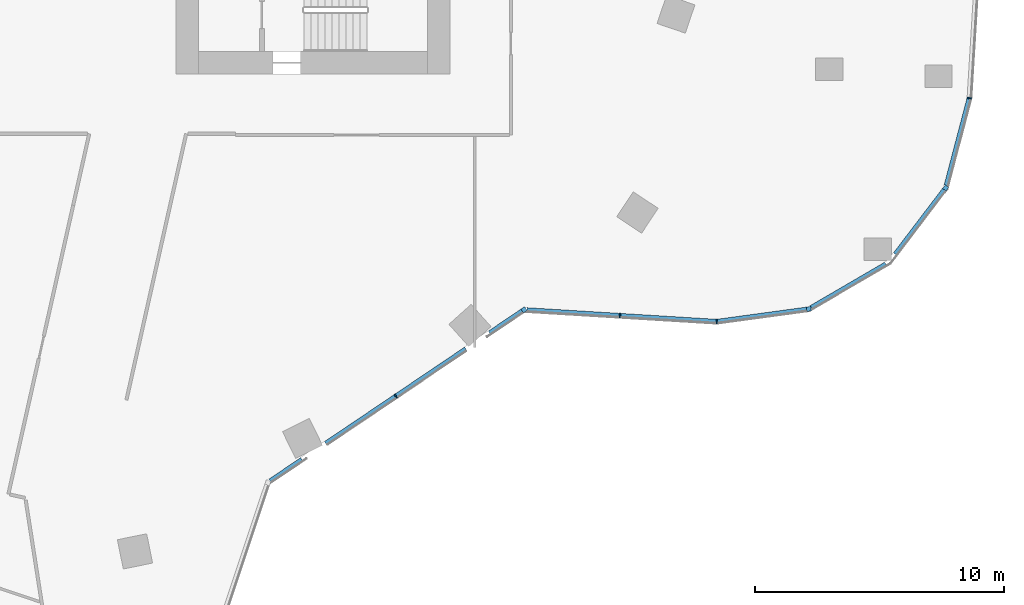
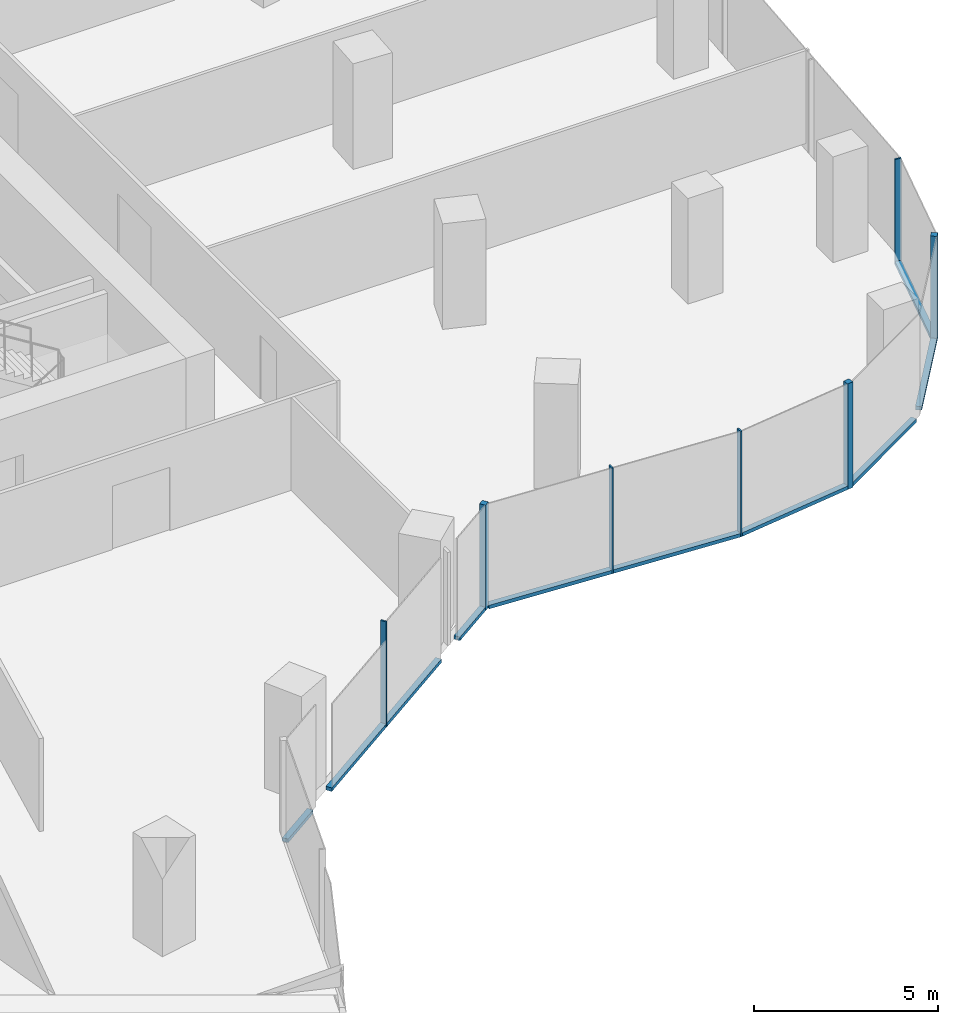
# One storey, part 7 of 25: 15 members, 6 elements without a shape of their own.
"""IFC4 building model written with IfcOpenShell, lengths in metres."""

from ifc_helpers import new_model, si_unit, direction, frame, origin, origin_2d, place, context, subcontext, project, spatial, rectangle, extrude, material, material_profile, profile_set, type_object, element, aggregate, save


model = new_model("IFC4")

# Units and contexts
model_context = context("Model", 3, precision=1e-05, world=origin(), true_north=direction((0.0, 1.0)))
body_context = subcontext(model_context, "Body", "Model", "MODEL_VIEW")
ifc_project = project(units=[si_unit("LENGTHUNIT", "METRE"), si_unit("AREAUNIT", "SQUARE_METRE"), si_unit("VOLUMEUNIT", "CUBIC_METRE"), si_unit("PLANEANGLEUNIT", "RADIAN"), si_unit("MASSUNIT", "GRAM", prefix="KILO")], contexts=[model_context])

# Site, building, storey
site_placement = place(None, origin())
site = spatial("IfcSite", under=ifc_project, at=site_placement, CompositionType="ELEMENT")
building_placement = place(site_placement, origin())
building = spatial("IfcBuilding", under=site, at=building_placement, Name="Orlundy Tower", CompositionType="ELEMENT")
storey_placement = place(building_placement, frame((0.0, 0.0, 159.60009765625)))
storey = spatial("IfcBuildingStorey", under=building, at=storey_placement, Name="L41", CompositionType="ELEMENT", Elevation=159.60009765625)

# Curtain wall, member
ifc_material_1 = material(Name="Aluminium bronze anodised", Category="aluminium")
curtain_wall_type = type_object("IfcCurtainWallType", Name="CW1 wall", PredefinedType="NOTDEFINED", material=ifc_material_1)
curtain_wall_1_placement = place(storey_placement, origin())
curtain_wall_1 = element("IfcCurtainWall", 1, at=curtain_wall_1_placement, inside=storey, type_object=curtain_wall_type, Name="CW1 run 013", PredefinedType="NOTDEFINED")
ifc_material_2 = material(Name="Aluminium bronze anodised", Category="aluminium")
ifc_material_profile_1 = material_profile(ifc_material_2, rectangle(XDim=0.179931640625, YDim=0.179931640625, at=origin_2d()), Name="CW1 corner post 180x180")
ifc_profile_set_1 = profile_set([ifc_material_profile_1], Name="Aluminium bronze anodised")
member_type_1 = type_object("IfcMemberType", Name="CW1 corner post 180x180", PredefinedType="MULLION", material=ifc_profile_set_1)
member_1_placement = place(storey_placement, frame((38.92236328125, -16.5771484375, -0.400146484375), z_axis=(0.0, 0.0, 1.0), x_axis=(0.796001033516, -0.605295262364, 0.0)))
member_1 = element("IfcMember", 2, at=member_1_placement, type_object=member_type_1, Name="CW1 mullion 37", PredefinedType="MULLION", context=body_context, shape_type="SweptSolid", body=[
    extrude(rectangle(XDim=0.179931640625, YDim=0.179931640625, at=origin_2d()), origin(), (0.0, 0.0, 1.0), 3.5),
])

curtain_wall_2_placement = place(storey_placement, origin())
curtain_wall_2 = element("IfcCurtainWall", 3, at=curtain_wall_2_placement, inside=storey, type_object=curtain_wall_type, Name="CW1 run 015", PredefinedType="NOTDEFINED")
member_2_placement = place(storey_placement, frame((33.423828125, -21.441650390625, -0.400146484375), z_axis=(0.0, 0.0, 1.0), x_axis=(0.134884472094, -0.990861331967, 0.0)))
member_2 = element("IfcMember", 4, at=member_2_placement, type_object=member_type_1, Name="CW1 mullion 39", PredefinedType="MULLION", context=body_context, shape_type="SweptSolid", body=[
    extrude(rectangle(XDim=0.179931640625, YDim=0.179931640625, at=origin_2d()), origin(), (0.0, 0.0, 1.0), 3.5),
])

curtain_wall_3_placement = place(storey_placement, origin())
curtain_wall_3 = element("IfcCurtainWall", 5, at=curtain_wall_3_placement, inside=storey, type_object=curtain_wall_type, Name="CW1 run 017", PredefinedType="NOTDEFINED")
member_3_placement = place(storey_placement, frame((21.97705078125, -21.4716796875, -0.400146484375), z_axis=(0.0, 0.0, 1.0), x_axis=(0.559164711565, -0.829056587538, 0.0)))
member_3 = element("IfcMember", 6, at=member_3_placement, type_object=member_type_1, Name="CW1 mullion 42", PredefinedType="MULLION", context=body_context, shape_type="SweptSolid", body=[
    extrude(rectangle(XDim=0.179931640625, YDim=0.179931640625, at=origin_2d()), origin(), (0.0, 0.0, 1.0), 3.5),
])

curtain_wall_4_placement = place(storey_placement, origin())
curtain_wall_4 = element("IfcCurtainWall", 7, at=curtain_wall_4_placement, inside=storey, type_object=curtain_wall_type, Name="CW1 run 012", PredefinedType="NOTDEFINED")
ifc_material_3 = material(Name="Aluminium bronze anodised", Category="aluminium")
ifc_material_profile_2 = material_profile(ifc_material_3, rectangle(XDim=0.179931640625, YDim=0.050048828125, at=origin_2d()), Name="CW1 mullion 50x180")
ifc_profile_set_2 = profile_set([ifc_material_profile_2], Name="Aluminium bronze anodised")
member_type_2 = type_object("IfcMemberType", Name="CW1 mullion 50x180", PredefinedType="MULLION", material=ifc_profile_set_2)
member_4_placement = place(storey_placement, frame((39.872314453125, -12.96728515625, -0.400146484375), z_axis=(0.0, 0.0, 1.0), x_axis=(0.987356988025, -0.15851239131, 0.0)))
member_4 = element("IfcMember", 8, at=member_4_placement, type_object=member_type_2, Name="CW1 mullion 36", PredefinedType="MULLION", context=body_context, shape_type="SweptSolid", body=[
    extrude(rectangle(XDim=0.179931640625, YDim=0.050048828125, at=origin_2d()), origin(), (0.0, 0.0, 1.0), 3.5),
])

# Curtain wall, members
curtain_wall_5_placement = place(storey_placement, origin())
curtain_wall_5 = element("IfcCurtainWall", 9, at=curtain_wall_5_placement, inside=storey, type_object=curtain_wall_type, Name="CW1 run 016", PredefinedType="NOTDEFINED")
member_5_placement = place(storey_placement, frame((29.724365234375, -21.9453125, -0.400146484375), z_axis=(0.0, 0.0, 1.0), x_axis=(0.037107704539, -0.999311271959, 0.0)))
member_5 = element("IfcMember", 10, at=member_5_placement, type_object=member_type_2, Name="CW1 mullion 40", PredefinedType="MULLION", context=body_context, shape_type="SweptSolid", body=[
    extrude(rectangle(XDim=0.179931640625, YDim=0.050048828125, at=origin_2d()), origin(), (0.0, 0.0, 1.0), 3.5),
])
member_6_placement = place(storey_placement, frame((25.8310546875, -21.707275390625, -0.400146484375), z_axis=(0.0, 0.0, 1.0), x_axis=(-0.061026473193, -0.998136147812, 0.0)))
member_6 = element("IfcMember", 11, at=member_6_placement, type_object=member_type_2, Name="CW1 mullion 41", PredefinedType="MULLION", context=body_context, shape_type="SweptSolid", body=[
    extrude(rectangle(XDim=0.179931640625, YDim=0.050048828125, at=origin_2d()), origin(), (0.0, 0.0, 1.0), 3.5),
])

# Member
member_7_placement = place(storey_placement, frame((16.826416015625, -24.945556640625, -0.400146484375), z_axis=(0.0, 0.0, 1.0), x_axis=(0.559164711565, -0.829056587538, 0.0)))
member_7 = element("IfcMember", 12, at=member_7_placement, type_object=member_type_2, Name="CW1 mullion 43", PredefinedType="MULLION", context=body_context, shape_type="SweptSolid", body=[
    extrude(rectangle(XDim=0.179931640625, YDim=0.050048828125, at=origin_2d()), origin(), (0.0, 0.0, 1.0), 3.5),
])

ifc_material_4 = material(Name="Aluminium bronze anodised", Category="aluminium")
ifc_material_profile_3 = material_profile(ifc_material_4, rectangle(XDim=0.179931640625, YDim=0.1201171875, at=origin_2d()), Name="CW1 transom 180x120")
ifc_profile_set_3 = profile_set([ifc_material_profile_3], Name="Aluminium bronze anodised")
member_type_3 = type_object("IfcMemberType", Name="CW1 transom 180x120", PredefinedType="USERDEFINED", material=ifc_profile_set_3)
member_8_placement = place(storey_placement, frame((39.865966796875, -12.99169921875, -0.340087890625), z_axis=(-0.254483312781, -0.967077165233, 0.0), x_axis=(0.967077165233, -0.254483312781, 0.0)))
member_8 = element("IfcMember", 13, at=member_8_placement, type_object=member_type_3, Name="CW1 transom", ObjectType="TRANSOM", PredefinedType="USERDEFINED", context=body_context, shape_type="SweptSolid", body=[
    extrude(rectangle(XDim=0.179931640625, YDim=0.1201171875, at=origin_2d()), origin(), (0.0, 0.0, 1.0), 3.610107421875),
])

aggregate(curtain_wall_4, [member_4, member_8])

member_9_placement = place(storey_placement, frame((38.867919921875, -16.64892578125, -0.340087890625), z_axis=(-0.605303879511, -0.79599448079, 0.0), x_axis=(0.79599448079, -0.605303879511, 0.0)))
member_9 = element("IfcMember", 14, at=member_9_placement, type_object=member_type_3, Name="CW1 transom", ObjectType="TRANSOM", PredefinedType="USERDEFINED", context=body_context, shape_type="SweptSolid", body=[
    extrude(rectangle(XDim=0.179931640625, YDim=0.1201171875, at=origin_2d()), origin(), (0.0, 0.0, 1.0), 3.25439453125),
])

aggregate(curtain_wall_1, [member_1, member_9])

# Curtain wall, member
curtain_wall_6_placement = place(storey_placement, origin())
curtain_wall_6 = element("IfcCurtainWall", 15, at=curtain_wall_6_placement, inside=storey, type_object=curtain_wall_type, Name="CW1 run 014", PredefinedType="NOTDEFINED")
member_10_placement = place(storey_placement, frame((36.515625, -19.638916015625, -0.340087890625), z_axis=(-0.863872991743, -0.50370969232, 0.0), x_axis=(0.50370969232, -0.863872991743, 0.0)))
member_10 = element("IfcMember", 16, at=member_10_placement, type_object=member_type_3, Name="CW1 transom", ObjectType="TRANSOM", PredefinedType="USERDEFINED", context=body_context, shape_type="SweptSolid", body=[
    extrude(rectangle(XDim=0.179931640625, YDim=0.1201171875, at=origin_2d()), origin(), (0.0, 0.0, 1.0), 3.4814453125),
])
aggregate(curtain_wall_6, [member_10])

# Member
member_11_placement = place(storey_placement, frame((33.334716796875, -21.453857421875, -0.340087890625), z_axis=(-0.990862984156, -0.134872334559, 0.0), x_axis=(0.134872334559, -0.990862984156, 0.0)))
member_11 = element("IfcMember", 17, at=member_11_placement, type_object=member_type_3, Name="CW1 transom", ObjectType="TRANSOM", PredefinedType="USERDEFINED", context=body_context, shape_type="SweptSolid", body=[
    extrude(rectangle(XDim=0.179931640625, YDim=0.1201171875, at=origin_2d()), origin(), (0.0, 0.0, 1.0), 3.618408203125),
])

aggregate(curtain_wall_2, [member_2, member_11])

member_12_placement = place(storey_placement, frame((29.69921875, -21.94384765625, -0.340087890625), z_axis=(-0.998135177426, 0.061042342558, 0.0), x_axis=(-0.061042342558, -0.998135177426, 0.0)))
member_12 = element("IfcMember", 18, at=member_12_placement, type_object=member_type_3, Name="CW1 transom", ObjectType="TRANSOM", PredefinedType="USERDEFINED", context=body_context, shape_type="SweptSolid", body=[
    extrude(rectangle(XDim=0.179931640625, YDim=0.1201171875, at=origin_2d()), origin(), (0.0, 0.0, 1.0), 7.623046875),
])

aggregate(curtain_wall_5, [member_5, member_6, member_12])

member_13_placement = place(storey_placement, frame((21.90234375, -21.52197265625, -0.340087890625), z_axis=(-0.829010314493, -0.559233313085, 0.0), x_axis=(0.559233313085, -0.829010314493, 0.0)))
member_13 = element("IfcMember", 19, at=member_13_placement, type_object=member_type_3, Name="CW1 transom", ObjectType="TRANSOM", PredefinedType="USERDEFINED", context=body_context, shape_type="SweptSolid", body=[
    extrude(rectangle(XDim=0.179931640625, YDim=0.1201171875, at=origin_2d()), origin(), (0.0, 0.0, 1.0), 1.575439453125),
])

member_14_placement = place(storey_placement, frame((19.64306640625, -23.0458984375, -0.340087890625), z_axis=(-0.829070192191, -0.559144539828, 0.0), x_axis=(0.559144539828, -0.829070192191, 0.0)))
member_14 = element("IfcMember", 20, at=member_14_placement, type_object=member_type_3, Name="CW1 transom", ObjectType="TRANSOM", PredefinedType="USERDEFINED", context=body_context, shape_type="SweptSolid", body=[
    extrude(rectangle(XDim=0.179931640625, YDim=0.1201171875, at=origin_2d()), origin(), (0.0, 0.0, 1.0), 6.79541015625),
])

member_15_placement = place(storey_placement, frame((13.0546875, -27.4892578125, -0.340087890625), z_axis=(-0.828960042041, -0.55930783, 0.0), x_axis=(0.55930783, -0.828960042041, 0.0)))
member_15 = element("IfcMember", 21, at=member_15_placement, type_object=member_type_3, Name="CW1 transom", ObjectType="TRANSOM", PredefinedType="USERDEFINED", context=body_context, shape_type="SweptSolid", body=[
    extrude(rectangle(XDim=0.179931640625, YDim=0.1201171875, at=origin_2d()), origin(), (0.0, 0.0, 1.0), 1.550048828125),
])

aggregate(curtain_wall_3, [member_3, member_7, member_13, member_14, member_15])

save(model, "model.ifc")
